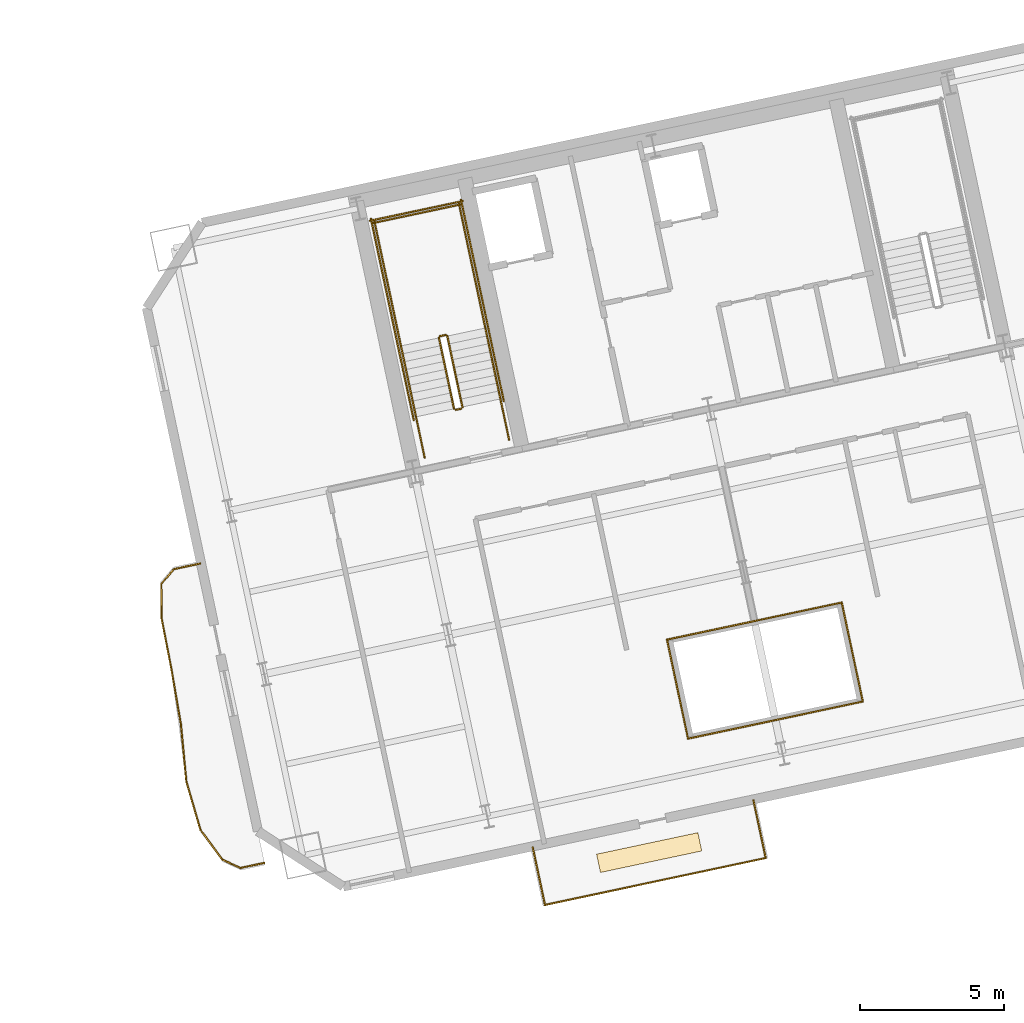
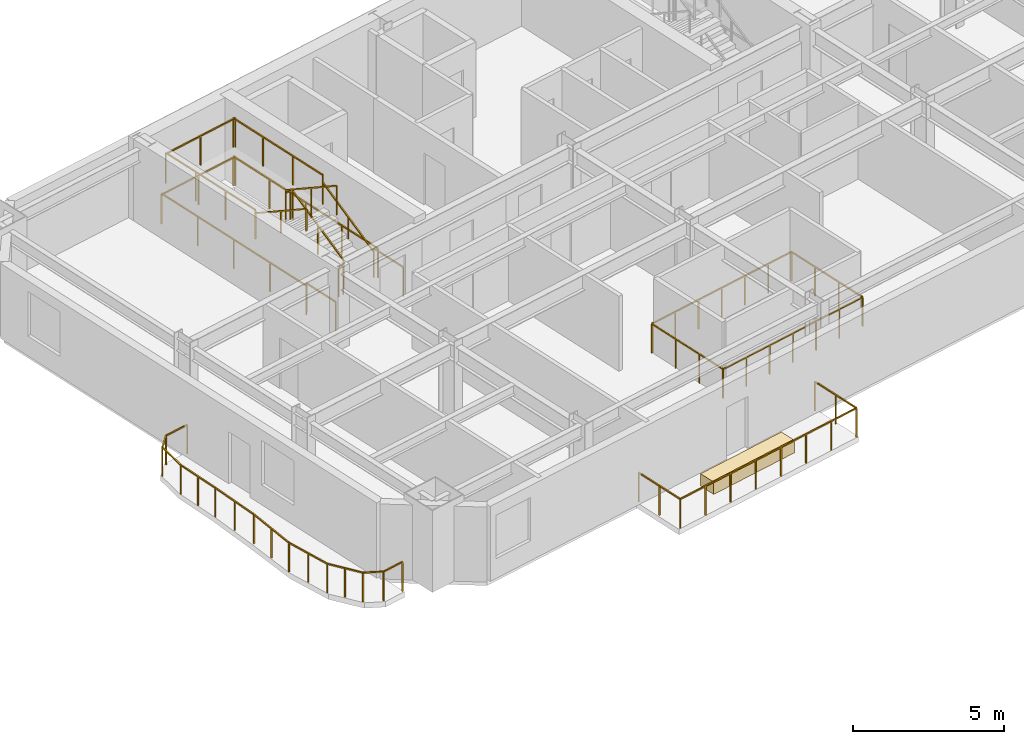
# One storey, part 13 of 14: 31 railings, 1 covering.
"""IFC4 building model written with IfcOpenShell, lengths in metres."""

import ifcopenshell
import ifcopenshell.guid

model = None  # the IFC model being written
_history = None  # IfcOwnerHistory: only IFC2X3 demands one
_inside = {}  # id of a spatial element -> (the spatial element, [elements in it])
_under = {}  # id of a project, library or spatial element -> (it, [spatial elements below it])
_declared = {}  # id of a project -> (the project, [libraries it declares])
_typed = {}  # id of a type object -> (the type object, [elements of that type])
_made_of = {}  # id of a material, layer set ... -> (it, [elements and type objects made of it])


def new_model(schema):
    """Start an empty IFC model of exactly this schema.

    Asked for "IFC4X3", IfcOpenShell would pick the latest addendum, in which some entities
    have other attributes; the version numbers below select the first issue.
    IFC2X3 requires an IfcOwnerHistory on every rooted entity: one is made here for all.
    """
    global model, _history
    if schema == "IFC4X3":
        model = ifcopenshell.file(schema_version=(4, 3, 0, 0))
    else:
        model = ifcopenshell.file(schema=schema)
    _inside.clear()
    _under.clear()
    _declared.clear()
    _typed.clear()
    _made_of.clear()
    _history = None
    if model.schema == "IFC2X3":
        org = make("IfcOrganization", Name="unknown")
        user = make(
            "IfcPersonAndOrganization",
            ThePerson=make("IfcPerson", FamilyName="unknown"),
            TheOrganization=org,
        )
        app = make(
            "IfcApplication",
            ApplicationDeveloper=org,
            Version="unknown",
            ApplicationFullName="unknown",
            ApplicationIdentifier="unknown",
        )
        _history = make(
            "IfcOwnerHistory",
            OwningUser=user,
            OwningApplication=app,
            ChangeAction="ADDED",
            CreationDate=0,
        )
    return model


def make(cls, **values):
    """One entity of the class cls with the attributes given. An attribute that is None is left unset."""
    return model.create_entity(
        cls, **{name: value for name, value in values.items() if value is not None}
    )


def rooted(cls, **values):
    """An entity with a GlobalId (a new one), such as an element, a storey or a relation."""
    return make(cls, GlobalId=ifcopenshell.guid.new(), OwnerHistory=_history, **values)


def si_unit(unit_type, name, prefix=None):
    """IfcSIUnit, for example si_unit("LENGTHUNIT", "METRE", prefix="MILLI")."""
    return make("IfcSIUnit", UnitType=unit_type, Prefix=prefix, Name=name)


def assignment(units):
    """IfcUnitAssignment: the units of a project."""
    return None if units is None else make("IfcUnitAssignment", Units=units)


def point(xyz):
    """IfcCartesianPoint."""
    return None if xyz is None else make("IfcCartesianPoint", Coordinates=xyz)


def direction(xyz):
    """IfcDirection."""
    return None if xyz is None else make("IfcDirection", DirectionRatios=xyz)


def frame(location, z_axis=None, x_axis=None):
    """IfcAxis2Placement3D, a coordinate frame: its origin and axes. An axis left out is left unset."""
    return make(
        "IfcAxis2Placement3D",
        Location=point(location),
        Axis=direction(z_axis),
        RefDirection=direction(x_axis),
    )


def frame_2d(location, x_axis=None):
    """IfcAxis2Placement2D, a coordinate frame in the plane: its origin and x axis."""
    return make(
        "IfcAxis2Placement2D", Location=point(location), RefDirection=direction(x_axis)
    )


def origin():
    """The frame at (0, 0, 0) with its axes left unset."""
    return frame((0.0, 0.0, 0.0))


def origin_2d():
    """The frame at (0, 0) in the plane with its x axis left unset."""
    return frame_2d((0.0, 0.0))


def place(relative_to, where):
    """IfcLocalPlacement: puts the frame where relative to a parent placement (None: the world)."""
    return make(
        "IfcLocalPlacement", PlacementRelTo=relative_to, RelativePlacement=where
    )


def context(
    kind, dimensions, precision=None, world=None, true_north=None, identifier=None
):
    """IfcGeometricRepresentationContext, for example the 3D "Model" context."""
    return make(
        "IfcGeometricRepresentationContext",
        ContextIdentifier=identifier,
        ContextType=kind,
        CoordinateSpaceDimension=dimensions,
        Precision=precision,
        WorldCoordinateSystem=world,
        TrueNorth=true_north,
    )


def subcontext(parent, identifier, kind, view, scale=None):
    """IfcGeometricRepresentationSubContext, for example "Body" below "Model"."""
    return make(
        "IfcGeometricRepresentationSubContext",
        ContextIdentifier=identifier,
        ContextType=kind,
        ParentContext=parent,
        TargetScale=scale,
        TargetView=view,
    )


def project(units=None, contexts=None):
    """IfcProject with its units and contexts."""
    return rooted(
        "IfcProject",
        Name="project",
        RepresentationContexts=contexts,
        UnitsInContext=assignment(units),
    )


def spatial(cls, under=None, at=None, **own):
    """A site, building, storey or space (cls), placed at a placement, below another one or the project."""
    s = rooted(cls, ObjectPlacement=at, **own)
    if under is not None:
        _under.setdefault(under.id(), (under, []))[1].append(s)
    return s


def profile(cls, at=None, kind="AREA", **sizes):
    """A parametric profile (cls). Its sizes go by their IFC names, for example OverallWidth=200.0."""
    return make(cls, ProfileType=kind, Position=at, **sizes)


def rectangle(**sizes):
    """IfcRectangleProfileDef."""
    return profile("IfcRectangleProfileDef", **sizes)


def extrude(swept, where, along, depth):
    """IfcExtrudedAreaSolid: the profile swept, set in the frame where, extruded along a direction by depth."""
    return make(
        "IfcExtrudedAreaSolid",
        SweptArea=swept,
        Position=where,
        ExtrudedDirection=direction(along),
        Depth=depth,
    )


def shape(context_of_items, identifier, shape_type, items):
    """IfcShapeRepresentation: the items that make up one representation, for example the "Body"."""
    return make(
        "IfcShapeRepresentation",
        ContextOfItems=context_of_items,
        RepresentationIdentifier=identifier,
        RepresentationType=shape_type,
        Items=items,
    )


def material(Name=None, Category=None):
    """IfcMaterial."""
    return make("IfcMaterial", Name=Name, Category=Category)


def layer(
    of_material, thickness, ventilated=None, Name=None, Category=None, Priority=None
):
    """IfcMaterialLayer: one layer of a wall or slab, of a material (None: an air gap)."""
    return make(
        "IfcMaterialLayer",
        Material=of_material,
        LayerThickness=thickness,
        IsVentilated=ventilated,
        Name=Name,
        Category=Category,
        Priority=Priority,
    )


def layer_set(layers, Name=None):
    """IfcMaterialLayerSet."""
    return make("IfcMaterialLayerSet", MaterialLayers=layers, LayerSetName=Name)


def made_of(thing, what):
    """Note that an element or type object is made of a material, layer set ...; save() writes the relation."""
    if what is not None:
        _made_of.setdefault(what.id(), (what, []))[1].append(thing)
    return thing


def type_object(cls, material=None, **own):
    """A type object (cls), such as IfcWallType, which elements share."""
    return made_of(rooted(cls, **own), material)


def element(
    cls,
    number,
    at=None,
    inside=None,
    cuts=None,
    type_object=None,
    material=None,
    context=None,
    identifier="Body",
    shape_type=None,
    held_by="IfcProductDefinitionShape",
    body=None,
    shapes=None,
    **own,
):
    """One element of the class cls, such as IfcWall. Its Tag is "e" and its number.

    at: its placement. inside: the storey or other place that contains it. cuts: it is an
    opening in that element (IfcRelVoidsElement). A single representation is given by context,
    identifier, shape_type and body (its items); several are given by shapes. held_by: the class
    of the entity that holds the representations. save() writes the other relations.
    """
    e = rooted(cls, Tag="e%d" % number, ObjectPlacement=at, **own)
    if body is not None:
        shapes = [shape(context, identifier, shape_type, body)]
    if shapes is not None:
        e.Representation = make(held_by, Representations=shapes)
    if inside is not None:
        _inside.setdefault(inside.id(), (inside, []))[1].append(e)
    if cuts is not None:
        rooted(
            "IfcRelVoidsElement", RelatingBuildingElement=cuts, RelatedOpeningElement=e
        )
    if type_object is not None:
        _typed.setdefault(type_object.id(), (type_object, []))[1].append(e)
    return made_of(e, material)


def aggregate(whole, parts):
    """IfcRelAggregates: a whole, such as a stair, and the parts it consists of."""
    return rooted("IfcRelAggregates", RelatingObject=whole, RelatedObjects=parts)


def save(model, path):
    """Write the relations noted so far, then the file.

    IfcRelAggregates (storeys below a building ...), IfcRelContainedInSpatialStructure (elements
    in a storey), IfcRelDefinesByType, IfcRelAssociatesMaterial and IfcRelDeclares: one each for
    every whole, place, type object, material and project.
    """
    for whole, parts in _under.values():
        aggregate(whole, parts)
    for where, things in _inside.values():
        rooted(
            "IfcRelContainedInSpatialStructure",
            RelatedElements=things,
            RelatingStructure=where,
        )
    for kind, things in _typed.values():
        rooted("IfcRelDefinesByType", RelatedObjects=things, RelatingType=kind)
    for what, things in _made_of.values():
        rooted("IfcRelAssociatesMaterial", RelatedObjects=things, RelatingMaterial=what)
    for by, libraries in _declared.values():
        rooted("IfcRelDeclares", RelatingContext=by, RelatedDefinitions=libraries)
    model.write(path)


model = new_model("IFC4")

# Units and contexts
model_context = context("Model", 3, precision=1e-05, world=origin(), true_north=direction((0.0, 1.0)))
body_context = subcontext(model_context, "Body", "Model", "MODEL_VIEW")
ifc_project = project(units=[si_unit("LENGTHUNIT", "METRE"), si_unit("AREAUNIT", "SQUARE_METRE"), si_unit("VOLUMEUNIT", "CUBIC_METRE"), si_unit("PLANEANGLEUNIT", "RADIAN"), si_unit("MASSUNIT", "GRAM", prefix="KILO")], contexts=[model_context])

# Site, building, storey
site_placement = place(None, origin())
site = spatial("IfcSite", under=ifc_project, at=site_placement, CompositionType="ELEMENT")
building_placement = place(site_placement, origin())
building = spatial("IfcBuilding", under=site, at=building_placement, Name="Haevon Station Towers", CompositionType="ELEMENT")
storey_placement = place(building_placement, frame((0.0, 0.0, 116.39990234375)))
storey = spatial("IfcBuildingStorey", under=building, at=storey_placement, Name="L31", CompositionType="ELEMENT", Elevation=116.39990234375)

# Railings
ifc_material_1 = material(Name="Steel S355", Category="steel")
railing_type_1 = type_object("IfcRailingType", Name="BAL-ATR1200", PredefinedType="BALUSTRADE", material=ifc_material_1)
railing_1_placement = place(storey_placement, frame((108.28564453125, 28.16259765625, 0.0)))
element("IfcRailing", 1, at=railing_1_placement, inside=storey, type_object=railing_type_1, Name="L31 Atrium Void Balustrade 1", PredefinedType="BALUSTRADE", context=body_context, shape_type="SweptSolid", body=[
    extrude(rectangle(XDim=0.048095703125, YDim=0.048095703125, at=origin_2d()), frame((0.0, 0.0, 1.17578125), z_axis=(0.978152054879, 0.207890734609, 0.0), x_axis=(-0.207890734609, 0.978152054879, 0.0)), (0.0, 0.0, 1.0), 6.208984375),
    extrude(rectangle(XDim=0.0419921875, YDim=0.0419921875, at=origin_2d()), origin(), (0.0, 0.0, 1.0), 1.15185546875),
    extrude(rectangle(XDim=0.0419921875, YDim=0.0419921875, at=origin_2d()), frame((1.01220703125, 0.215087890625, 0.0)), (0.0, 0.0, 1.0), 1.15185546875),
    extrude(rectangle(XDim=0.0419921875, YDim=0.0419921875, at=origin_2d()), frame((2.0244140625, 0.43017578125, 0.0)), (0.0, 0.0, 1.0), 1.15185546875),
    extrude(rectangle(XDim=0.0419921875, YDim=0.0419921875, at=origin_2d()), frame((3.03662109375, 0.6455078125, 0.0)), (0.0, 0.0, 1.0), 1.15185546875),
    extrude(rectangle(XDim=0.0419921875, YDim=0.0419921875, at=origin_2d()), frame((4.048828125, 0.860595703125, 0.0)), (0.0, 0.0, 1.0), 1.15185546875),
    extrude(rectangle(XDim=0.0419921875, YDim=0.0419921875, at=origin_2d()), frame((5.06103515625, 1.07568359375, 0.0)), (0.0, 0.0, 1.0), 1.15185546875),
    extrude(rectangle(XDim=0.0419921875, YDim=0.0419921875, at=origin_2d()), frame((6.0732421875, 1.290771484375, 0.0)), (0.0, 0.0, 1.0), 1.15185546875),
])
railing_2_placement = place(storey_placement, frame((114.35888671875, 29.453369140625, 0.0)))
element("IfcRailing", 2, at=railing_2_placement, inside=storey, type_object=railing_type_1, Name="L31 Atrium Void Balustrade 2", PredefinedType="BALUSTRADE", context=body_context, shape_type="SweptSolid", body=[
    extrude(rectangle(XDim=0.048095703125, YDim=0.048095703125, at=origin_2d()), frame((0.0, 0.0, 1.17578125), z_axis=(-0.207964983384, 0.978136271532, 0.0), x_axis=(-0.978136271532, -0.207964983384, 0.0)), (0.0, 0.0, 1.0), 3.518310546875),
    extrude(rectangle(XDim=0.0419921875, YDim=0.0419921875, at=origin_2d()), origin(), (0.0, 0.0, 1.0), 1.15185546875),
    extrude(rectangle(XDim=0.0419921875, YDim=0.0419921875, at=origin_2d()), frame((-0.243896484375, 1.147216796875, 0.0)), (0.0, 0.0, 1.0), 1.15185546875),
    extrude(rectangle(XDim=0.0419921875, YDim=0.0419921875, at=origin_2d()), frame((-0.48779296875, 2.294189453125, 0.0)), (0.0, 0.0, 1.0), 1.15185546875),
    extrude(rectangle(XDim=0.0419921875, YDim=0.0419921875, at=origin_2d()), frame((-0.731689453125, 3.44140625, 0.0)), (0.0, 0.0, 1.0), 1.15185546875),
])
railing_3_placement = place(storey_placement, frame((113.627197265625, 32.894775390625, 0.0)))
element("IfcRailing", 3, at=railing_3_placement, inside=storey, type_object=railing_type_1, Name="L31 Atrium Void Balustrade 3", PredefinedType="BALUSTRADE", context=body_context, shape_type="SweptSolid", body=[
    extrude(rectangle(XDim=0.048095703125, YDim=0.048095703125, at=origin_2d()), frame((0.0, 0.0, 1.17578125), z_axis=(-0.978150355379, -0.20789873081, 0.0), x_axis=(0.20789873081, -0.978150355379, 0.0)), (0.0, 0.0, 1.0), 6.208740234375),
    extrude(rectangle(XDim=0.0419921875, YDim=0.0419921875, at=origin_2d()), origin(), (0.0, 0.0, 1.0), 1.15185546875),
    extrude(rectangle(XDim=0.0419921875, YDim=0.0419921875, at=origin_2d()), frame((-1.01220703125, -0.215087890625, 0.0)), (0.0, 0.0, 1.0), 1.15185546875),
    extrude(rectangle(XDim=0.0419921875, YDim=0.0419921875, at=origin_2d()), frame((-2.0244140625, -0.43017578125, 0.0)), (0.0, 0.0, 1.0), 1.15185546875),
    extrude(rectangle(XDim=0.0419921875, YDim=0.0419921875, at=origin_2d()), frame((-3.03662109375, -0.6455078125, 0.0)), (0.0, 0.0, 1.0), 1.15185546875),
    extrude(rectangle(XDim=0.0419921875, YDim=0.0419921875, at=origin_2d()), frame((-4.048583984375, -0.860595703125, 0.0)), (0.0, 0.0, 1.0), 1.15185546875),
    extrude(rectangle(XDim=0.0419921875, YDim=0.0419921875, at=origin_2d()), frame((-5.060791015625, -1.07568359375, 0.0)), (0.0, 0.0, 1.0), 1.15185546875),
    extrude(rectangle(XDim=0.0419921875, YDim=0.0419921875, at=origin_2d()), frame((-6.072998046875, -1.290771484375, 0.0)), (0.0, 0.0, 1.0), 1.15185546875),
])
railing_4_placement = place(storey_placement, frame((107.55419921875, 31.60400390625, 0.0)))
element("IfcRailing", 4, at=railing_4_placement, inside=storey, type_object=railing_type_1, Name="L31 Atrium Void Balustrade 4", PredefinedType="BALUSTRADE", context=body_context, shape_type="SweptSolid", body=[
    extrude(rectangle(XDim=0.048095703125, YDim=0.048095703125, at=origin_2d()), frame((0.0, 0.0, 1.17578125), z_axis=(0.207898592019, -0.978150384878, 0.0), x_axis=(0.978150384878, 0.207898592019, 0.0)), (0.0, 0.0, 1.0), 3.518310546875),
    extrude(rectangle(XDim=0.0419921875, YDim=0.0419921875, at=origin_2d()), origin(), (0.0, 0.0, 1.0), 1.15185546875),
    extrude(rectangle(XDim=0.0419921875, YDim=0.0419921875, at=origin_2d()), frame((0.243896484375, -1.147216796875, 0.0)), (0.0, 0.0, 1.0), 1.15185546875),
    extrude(rectangle(XDim=0.0419921875, YDim=0.0419921875, at=origin_2d()), frame((0.487548828125, -2.294189453125, 0.0)), (0.0, 0.0, 1.0), 1.15185546875),
    extrude(rectangle(XDim=0.0419921875, YDim=0.0419921875, at=origin_2d()), frame((0.7314453125, -3.44140625, 0.0)), (0.0, 0.0, 1.0), 1.15185546875),
])
railing_type_2 = type_object("IfcRailingType", Name="GRD-EXT1200", PredefinedType="GUARDRAIL", material=ifc_material_1)
railing_5_placement = place(storey_placement, frame((91.329833984375, 34.251708984375, 0.0)))
element("IfcRailing", 5, at=railing_5_placement, inside=storey, type_object=railing_type_2, Name="L31 Perimeter Guardrail 1", PredefinedType="GUARDRAIL", context=body_context, shape_type="SweptSolid", body=[
    extrude(rectangle(XDim=0.048095703125, YDim=0.048095703125, at=origin_2d()), frame((0.0, 0.0, 1.17578125), z_axis=(-0.977684892297, -0.210076774952, 0.0), x_axis=(0.210076774952, -0.977684892297, 0.0)), (0.0, 0.0, 1.0), 0.943603515625),
    extrude(rectangle(XDim=0.0419921875, YDim=0.0419921875, at=origin_2d()), origin(), (0.0, 0.0, 1.0), 1.15185546875),
    extrude(rectangle(XDim=0.0419921875, YDim=0.0419921875, at=origin_2d()), frame((-0.922607421875, -0.1982421875, 0.0)), (0.0, 0.0, 1.0), 1.15185546875),
])
railing_6_placement = place(storey_placement, frame((90.4072265625, 34.053466796875, 0.0)))
element("IfcRailing", 6, at=railing_6_placement, inside=storey, type_object=railing_type_2, Name="L31 Perimeter Guardrail 2", PredefinedType="GUARDRAIL", context=body_context, shape_type="SweptSolid", body=[
    extrude(rectangle(XDim=0.048095703125, YDim=0.048095703125, at=origin_2d()), frame((0.0, 0.0, 1.17578125), z_axis=(-0.647469407295, -0.762091442424, 0.0), x_axis=(0.762091442424, -0.647469407295, 0.0)), (0.0, 0.0, 1.0), 0.673095703125),
    extrude(rectangle(XDim=0.0419921875, YDim=0.0419921875, at=origin_2d()), origin(), (0.0, 0.0, 1.0), 1.15185546875),
    extrude(rectangle(XDim=0.0419921875, YDim=0.0419921875, at=origin_2d()), frame((-0.435791015625, -0.512939453125, 0.0)), (0.0, 0.0, 1.0), 1.15185546875),
])
railing_7_placement = place(storey_placement, frame((89.971435546875, 33.54052734375, 0.0)))
element("IfcRailing", 7, at=railing_7_placement, inside=storey, type_object=railing_type_2, Name="L31 Perimeter Guardrail 3", PredefinedType="GUARDRAIL", context=body_context, shape_type="SweptSolid", body=[
    extrude(rectangle(XDim=0.048095703125, YDim=0.048095703125, at=origin_2d()), frame((0.0, 0.0, 1.17578125), z_axis=(0.008382449301, -0.999964866655, 0.0), x_axis=(0.999964866655, 0.008382449301, 0.0)), (0.0, 0.0, 1.0), 1.194091796875),
    extrude(rectangle(XDim=0.0419921875, YDim=0.0419921875, at=origin_2d()), origin(), (0.0, 0.0, 1.0), 1.15185546875),
    extrude(rectangle(XDim=0.0419921875, YDim=0.0419921875, at=origin_2d()), frame((0.010009765625, -1.194091796875, 0.0)), (0.0, 0.0, 1.0), 1.15185546875),
])
railing_8_placement = place(storey_placement, frame((89.9814453125, 32.346435546875, 0.0)))
element("IfcRailing", 8, at=railing_8_placement, inside=storey, type_object=railing_type_2, Name="L31 Perimeter Guardrail 4", PredefinedType="GUARDRAIL", context=body_context, shape_type="SweptSolid", body=[
    extrude(rectangle(XDim=0.048095703125, YDim=0.048095703125, at=origin_2d()), frame((0.0, 0.0, 1.17578125), z_axis=(0.190641955545, -0.981659637953, 0.0), x_axis=(0.981659637953, 0.190641955545, 0.0)), (0.0, 0.0, 1.0), 1.750732421875),
    extrude(rectangle(XDim=0.0419921875, YDim=0.0419921875, at=origin_2d()), origin(), (0.0, 0.0, 1.0), 1.15185546875),
    extrude(rectangle(XDim=0.0419921875, YDim=0.0419921875, at=origin_2d()), frame((0.1669921875, -0.859375, 0.0)), (0.0, 0.0, 1.0), 1.15185546875),
    extrude(rectangle(XDim=0.0419921875, YDim=0.0419921875, at=origin_2d()), frame((0.333740234375, -1.718505859375, 0.0)), (0.0, 0.0, 1.0), 1.15185546875),
])
railing_9_placement = place(storey_placement, frame((90.315185546875, 30.6279296875, 0.0)))
element("IfcRailing", 9, at=railing_9_placement, inside=storey, type_object=railing_type_2, Name="L31 Perimeter Guardrail 5", PredefinedType="GUARDRAIL", context=body_context, shape_type="SweptSolid", body=[
    extrude(rectangle(XDim=0.048095703125, YDim=0.048095703125, at=origin_2d()), frame((0.0, 0.0, 1.17578125), z_axis=(0.170403994018, -0.985374283622, 0.0), x_axis=(0.985374283622, 0.170403994018, 0.0)), (0.0, 0.0, 1.0), 1.989990234375),
    extrude(rectangle(XDim=0.0419921875, YDim=0.0419921875, at=origin_2d()), origin(), (0.0, 0.0, 1.0), 1.15185546875),
    extrude(rectangle(XDim=0.0419921875, YDim=0.0419921875, at=origin_2d()), frame((0.16943359375, -0.98046875, 0.0)), (0.0, 0.0, 1.0), 1.15185546875),
    extrude(rectangle(XDim=0.0419921875, YDim=0.0419921875, at=origin_2d()), frame((0.339111328125, -1.9609375, 0.0)), (0.0, 0.0, 1.0), 1.15185546875),
])
railing_10_placement = place(storey_placement, frame((90.654296875, 28.6669921875, 0.0)))
element("IfcRailing", 10, at=railing_10_placement, inside=storey, type_object=railing_type_2, Name="L31 Perimeter Guardrail 6", PredefinedType="GUARDRAIL", context=body_context, shape_type="SweptSolid", body=[
    extrude(rectangle(XDim=0.048095703125, YDim=0.048095703125, at=origin_2d()), frame((0.0, 0.0, 1.17578125), z_axis=(0.094113855165, -0.995561440729, 0.0), x_axis=(0.995561440729, 0.094113855165, 0.0)), (0.0, 0.0, 1.0), 2.005126953125),
    extrude(rectangle(XDim=0.0419921875, YDim=0.0419921875, at=origin_2d()), origin(), (0.0, 0.0, 1.0), 1.15185546875),
    extrude(rectangle(XDim=0.0419921875, YDim=0.0419921875, at=origin_2d()), frame((0.09423828125, -0.998046875, 0.0)), (0.0, 0.0, 1.0), 1.15185546875),
    extrude(rectangle(XDim=0.0419921875, YDim=0.0419921875, at=origin_2d()), frame((0.188720703125, -1.996337890625, 0.0)), (0.0, 0.0, 1.0), 1.15185546875),
])
railing_11_placement = place(storey_placement, frame((90.843017578125, 26.670654296875, 0.0)))
element("IfcRailing", 11, at=railing_11_placement, inside=storey, type_object=railing_type_2, Name="L31 Perimeter Guardrail 7", PredefinedType="GUARDRAIL", context=body_context, shape_type="SweptSolid", body=[
    extrude(rectangle(XDim=0.048095703125, YDim=0.048095703125, at=origin_2d()), frame((0.0, 0.0, 1.17578125), z_axis=(0.280310277148, -0.959909448086, 0.0), x_axis=(0.959909448086, 0.280310277148, 0.0)), (0.0, 0.0, 1.0), 1.75244140625),
    extrude(rectangle(XDim=0.0419921875, YDim=0.0419921875, at=origin_2d()), origin(), (0.0, 0.0, 1.0), 1.15185546875),
    extrude(rectangle(XDim=0.0419921875, YDim=0.0419921875, at=origin_2d()), frame((0.24560546875, -0.841064453125, 0.0)), (0.0, 0.0, 1.0), 1.15185546875),
    extrude(rectangle(XDim=0.0419921875, YDim=0.0419921875, at=origin_2d()), frame((0.4912109375, -1.68212890625, 0.0)), (0.0, 0.0, 1.0), 1.15185546875),
])
railing_12_placement = place(storey_placement, frame((91.334228515625, 24.988525390625, 0.0)))
element("IfcRailing", 12, at=railing_12_placement, inside=storey, type_object=railing_type_2, Name="L31 Perimeter Guardrail 8", PredefinedType="GUARDRAIL", context=body_context, shape_type="SweptSolid", body=[
    extrude(rectangle(XDim=0.048095703125, YDim=0.048095703125, at=origin_2d()), frame((0.0, 0.0, 1.17578125), z_axis=(0.59417733114, -0.804334071863, 0.0), x_axis=(0.804334071863, 0.59417733114, 0.0)), (0.0, 0.0, 1.0), 1.284912109375),
    extrude(rectangle(XDim=0.0419921875, YDim=0.0419921875, at=origin_2d()), origin(), (0.0, 0.0, 1.0), 1.15185546875),
    extrude(rectangle(XDim=0.0419921875, YDim=0.0419921875, at=origin_2d()), frame((0.3818359375, -0.5166015625, 0.0)), (0.0, 0.0, 1.0), 1.15185546875),
    extrude(rectangle(XDim=0.0419921875, YDim=0.0419921875, at=origin_2d()), frame((0.763427734375, -1.033447265625, 0.0)), (0.0, 0.0, 1.0), 1.15185546875),
])
railing_13_placement = place(storey_placement, frame((92.09765625, 23.955078125, 0.0)))
element("IfcRailing", 13, at=railing_13_placement, inside=storey, type_object=railing_type_2, Name="L31 Perimeter Guardrail 9", PredefinedType="GUARDRAIL", context=body_context, shape_type="SweptSolid", body=[
    extrude(rectangle(XDim=0.048095703125, YDim=0.048095703125, at=origin_2d()), frame((0.0, 0.0, 1.17578125), z_axis=(0.908498533497, -0.417888040788, 0.0), x_axis=(0.417888040788, 0.908498533497, 0.0)), (0.0, 0.0, 1.0), 0.688232421875),
    extrude(rectangle(XDim=0.0419921875, YDim=0.0419921875, at=origin_2d()), origin(), (0.0, 0.0, 1.0), 1.15185546875),
    extrude(rectangle(XDim=0.0419921875, YDim=0.0419921875, at=origin_2d()), frame((0.625244140625, -0.28759765625, 0.0)), (0.0, 0.0, 1.0), 1.15185546875),
])
railing_14_placement = place(storey_placement, frame((92.722900390625, 23.66748046875, 0.0)))
element("IfcRailing", 14, at=railing_14_placement, inside=storey, type_object=railing_type_2, Name="L31 Perimeter Guardrail 10", PredefinedType="GUARDRAIL", context=body_context, shape_type="SweptSolid", body=[
    extrude(rectangle(XDim=0.048095703125, YDim=0.048095703125, at=origin_2d()), frame((0.0, 0.0, 1.17578125), z_axis=(0.978617737227, 0.20568744343, 0.0), x_axis=(-0.20568744343, 0.978617737227, 0.0)), (0.0, 0.0, 1.0), 0.837890625),
    extrude(rectangle(XDim=0.0419921875, YDim=0.0419921875, at=origin_2d()), origin(), (0.0, 0.0, 1.0), 1.15185546875),
    extrude(rectangle(XDim=0.0419921875, YDim=0.0419921875, at=origin_2d()), frame((0.820068359375, 0.17236328125, 0.0)), (0.0, 0.0, 1.0), 1.15185546875),
])
railing_15_placement = place(storey_placement, frame((103.310791015625, 22.38134765625, 0.0)))
element("IfcRailing", 15, at=railing_15_placement, inside=storey, type_object=railing_type_2, Name="L31 Perimeter Guardrail 1", PredefinedType="GUARDRAIL", context=body_context, shape_type="SweptSolid", body=[
    extrude(rectangle(XDim=0.048095703125, YDim=0.048095703125, at=origin_2d()), frame((0.0, 0.0, 1.17578125), z_axis=(0.978148093399, 0.207909372996, 0.0), x_axis=(-0.207909372996, 0.978148093399, 0.0)), (0.0, 0.0, 1.0), 7.84521484375),
    extrude(rectangle(XDim=0.0419921875, YDim=0.0419921875, at=origin_2d()), origin(), (0.0, 0.0, 1.0), 1.15185546875),
    extrude(rectangle(XDim=0.0419921875, YDim=0.0419921875, at=origin_2d()), frame((1.09619140625, 0.23291015625, 0.0)), (0.0, 0.0, 1.0), 1.15185546875),
    extrude(rectangle(XDim=0.0419921875, YDim=0.0419921875, at=origin_2d()), frame((2.192626953125, 0.466064453125, 0.0)), (0.0, 0.0, 1.0), 1.15185546875),
    extrude(rectangle(XDim=0.0419921875, YDim=0.0419921875, at=origin_2d()), frame((3.288818359375, 0.698974609375, 0.0)), (0.0, 0.0, 1.0), 1.15185546875),
    extrude(rectangle(XDim=0.0419921875, YDim=0.0419921875, at=origin_2d()), frame((4.385009765625, 0.93212890625, 0.0)), (0.0, 0.0, 1.0), 1.15185546875),
    extrude(rectangle(XDim=0.0419921875, YDim=0.0419921875, at=origin_2d()), frame((5.481201171875, 1.1650390625, 0.0)), (0.0, 0.0, 1.0), 1.15185546875),
    extrude(rectangle(XDim=0.0419921875, YDim=0.0419921875, at=origin_2d()), frame((6.57763671875, 1.398193359375, 0.0)), (0.0, 0.0, 1.0), 1.15185546875),
    extrude(rectangle(XDim=0.0419921875, YDim=0.0419921875, at=origin_2d()), frame((7.673828125, 1.631103515625, 0.0)), (0.0, 0.0, 1.0), 1.15185546875),
])
railing_16_placement = place(storey_placement, frame((110.984619140625, 24.012451171875, 0.0)))
element("IfcRailing", 16, at=railing_16_placement, inside=storey, type_object=railing_type_2, Name="L31 Perimeter Guardrail 2", PredefinedType="GUARDRAIL", context=body_context, shape_type="SweptSolid", body=[
    extrude(rectangle(XDim=0.048095703125, YDim=0.048095703125, at=origin_2d()), frame((0.0, 0.0, 1.17578125), z_axis=(-0.207962507169, 0.978136798005, 0.0), x_axis=(-0.978136798005, -0.207962507169, 0.0)), (0.0, 0.0, 1.0), 2.054443359375),
    extrude(rectangle(XDim=0.0419921875, YDim=0.0419921875, at=origin_2d()), origin(), (0.0, 0.0, 1.0), 1.15185546875),
    extrude(rectangle(XDim=0.0419921875, YDim=0.0419921875, at=origin_2d()), frame((-0.213623046875, 1.0048828125, 0.0)), (0.0, 0.0, 1.0), 1.15185546875),
    extrude(rectangle(XDim=0.0419921875, YDim=0.0419921875, at=origin_2d()), frame((-0.42724609375, 2.009521484375, 0.0)), (0.0, 0.0, 1.0), 1.15185546875),
])
railing_17_placement = place(storey_placement, frame((102.883544921875, 24.390869140625, 0.0)))
element("IfcRailing", 17, at=railing_17_placement, inside=storey, type_object=railing_type_2, Name="L31 Perimeter Guardrail 3", PredefinedType="GUARDRAIL", context=body_context, shape_type="SweptSolid", body=[
    extrude(rectangle(XDim=0.048095703125, YDim=0.048095703125, at=origin_2d()), frame((0.0, 0.0, 1.17578125), z_axis=(0.207962507169, -0.978136798005, 0.0), x_axis=(0.978136798005, 0.207962507169, 0.0)), (0.0, 0.0, 1.0), 2.054443359375),
    extrude(rectangle(XDim=0.0419921875, YDim=0.0419921875, at=origin_2d()), origin(), (0.0, 0.0, 1.0), 1.15185546875),
    extrude(rectangle(XDim=0.0419921875, YDim=0.0419921875, at=origin_2d()), frame((0.213623046875, -1.0048828125, 0.0)), (0.0, 0.0, 1.0), 1.15185546875),
    extrude(rectangle(XDim=0.0419921875, YDim=0.0419921875, at=origin_2d()), frame((0.42724609375, -2.009521484375, 0.0)), (0.0, 0.0, 1.0), 1.15185546875),
])
railing_type_3 = type_object("IfcRailingType", Name="GRD-STR1200", PredefinedType="GUARDRAIL", material=ifc_material_1)
railing_18_placement = place(storey_placement, frame((100.44140625, 39.69287109375, 0.1650390625)))
element("IfcRailing", 18, at=railing_18_placement, inside=storey, type_object=railing_type_3, Name="L31 ST3 Stair Guard 1", PredefinedType="GUARDRAIL", context=body_context, shape_type="SweptSolid", body=[
    extrude(rectangle(XDim=0.048095703125, YDim=0.048095703125, at=origin_2d()), frame((0.0, 0.0, 1.17578125), z_axis=(-0.179121265225, 0.842687928106, 0.507732831485), x_axis=(-0.978147030254, -0.207914374695, 0.0)), (0.0, 0.0, 1.0), 2.925048828125),
    extrude(rectangle(XDim=0.0419921875, YDim=0.0419921875, at=origin_2d()), origin(), (0.0, 0.0, 1.0), 1.15185546875),
    extrude(rectangle(XDim=0.0419921875, YDim=0.0419921875, at=origin_2d()), frame((-0.261962890625, 1.232421875, 0.74267578125)), (0.0, 0.0, 1.0), 1.15185546875),
    extrude(rectangle(XDim=0.0419921875, YDim=0.0419921875, at=origin_2d()), frame((-0.52392578125, 2.46484375, 1.485107421875)), (0.0, 0.0, 1.0), 1.15185546875),
])
railing_19_placement = place(storey_placement, frame((99.858154296875, 42.1962890625, 1.650146484375)))
element("IfcRailing", 19, at=railing_19_placement, inside=storey, type_object=railing_type_3, Name="L31 ST3 Stair Guard 2", PredefinedType="GUARDRAIL", context=body_context, shape_type="SweptSolid", body=[
    extrude(rectangle(XDim=0.048095703125, YDim=0.048095703125, at=origin_2d()), frame((0.0, 0.0, 1.17578125), z_axis=(-0.977962931203, -0.208778603291, 0.0), x_axis=(0.208778603291, -0.977962931203, 0.0)), (0.0, 0.0, 1.0), 0.199951171875),
    extrude(rectangle(XDim=0.0419921875, YDim=0.0419921875, at=origin_2d()), origin(), (0.0, 0.0, 1.0), 1.15185546875),
    extrude(rectangle(XDim=0.0419921875, YDim=0.0419921875, at=origin_2d()), frame((-0.195556640625, -0.041748046875, 0.0)), (0.0, 0.0, 1.0), 1.15185546875),
])
railing_20_placement = place(storey_placement, frame((101.238037109375, 42.4384765625, 1.650146484375)))
element("IfcRailing", 20, at=railing_20_placement, inside=storey, type_object=railing_type_3, Name="L31 ST3 Stair Guard 3", PredefinedType="GUARDRAIL", context=body_context, shape_type="SweptSolid", body=[
    extrude(rectangle(XDim=0.048095703125, YDim=0.048095703125, at=origin_2d()), frame((0.0, 0.0, 1.17578125), z_axis=(-0.20794048909, 0.978141479029, 0.0), x_axis=(-0.978141479029, -0.20794048909, 0.0)), (0.0, 0.0, 1.0), 4.429931640625),
    extrude(rectangle(XDim=0.0419921875, YDim=0.0419921875, at=origin_2d()), origin(), (0.0, 0.0, 1.0), 1.15185546875),
    extrude(rectangle(XDim=0.0419921875, YDim=0.0419921875, at=origin_2d()), frame((-0.30712890625, 1.4443359375, 0.0)), (0.0, 0.0, 1.0), 1.15185546875),
    extrude(rectangle(XDim=0.0419921875, YDim=0.0419921875, at=origin_2d()), frame((-0.614013671875, 2.888671875, 0.0)), (0.0, 0.0, 1.0), 1.15185546875),
    extrude(rectangle(XDim=0.0419921875, YDim=0.0419921875, at=origin_2d()), frame((-0.921142578125, 4.3330078125, 0.0)), (0.0, 0.0, 1.0), 1.15185546875),
])
railing_21_placement = place(storey_placement, frame((98.303466796875, 41.814697265625, 1.650146484375)))
element("IfcRailing", 21, at=railing_21_placement, inside=storey, type_object=railing_type_3, Name="L31 ST3 Stair Guard 4", PredefinedType="GUARDRAIL", context=body_context, shape_type="SweptSolid", body=[
    extrude(rectangle(XDim=0.048095703125, YDim=0.048095703125, at=origin_2d()), frame((0.0, 0.0, 1.17578125), z_axis=(-0.207876551949, 0.978155069071, 0.0), x_axis=(-0.978155069071, -0.207876551949, 0.0)), (0.0, 0.0, 1.0), 4.429931640625),
    extrude(rectangle(XDim=0.0419921875, YDim=0.0419921875, at=origin_2d()), origin(), (0.0, 0.0, 1.0), 1.15185546875),
    extrude(rectangle(XDim=0.0419921875, YDim=0.0419921875, at=origin_2d()), frame((-0.306884765625, 1.4443359375, 0.0)), (0.0, 0.0, 1.0), 1.15185546875),
    extrude(rectangle(XDim=0.0419921875, YDim=0.0419921875, at=origin_2d()), frame((-0.614013671875, 2.888916015625, 0.0)), (0.0, 0.0, 1.0), 1.15185546875),
    extrude(rectangle(XDim=0.0419921875, YDim=0.0419921875, at=origin_2d()), frame((-0.9208984375, 4.333251953125, 0.0)), (0.0, 0.0, 1.0), 1.15185546875),
])
railing_22_placement = place(storey_placement, frame((100.376220703125, 46.733154296875, 1.650146484375)))
element("IfcRailing", 22, at=railing_22_placement, inside=storey, type_object=railing_type_3, Name="L31 ST3 Stair Guard 5", PredefinedType="GUARDRAIL", context=body_context, shape_type="SweptSolid", body=[
    extrude(rectangle(XDim=0.048095703125, YDim=0.048095703125, at=origin_2d()), frame((0.0, 0.0, 1.17578125), z_axis=(-0.978146839882, -0.207915270313, 0.0), x_axis=(0.207915270313, -0.978146839882, 0.0)), (0.0, 0.0, 1.0), 3.099853515625),
    extrude(rectangle(XDim=0.0419921875, YDim=0.0419921875, at=origin_2d()), origin(), (0.0, 0.0, 1.0), 1.15185546875),
    extrude(rectangle(XDim=0.0419921875, YDim=0.0419921875, at=origin_2d()), frame((-1.51611328125, -0.322265625, 0.0)), (0.0, 0.0, 1.0), 1.15185546875),
    extrude(rectangle(XDim=0.0419921875, YDim=0.0419921875, at=origin_2d()), frame((-3.0322265625, -0.64453125, 0.0)), (0.0, 0.0, 1.0), 1.15185546875),
])
railing_23_placement = place(storey_placement, frame((99.6240234375, 42.09521484375, 1.815185546875)))
element("IfcRailing", 23, at=railing_23_placement, inside=storey, type_object=railing_type_3, Name="L31 ST3 Stair Guard 6", PredefinedType="GUARDRAIL", context=body_context, shape_type="SweptSolid", body=[
    extrude(rectangle(XDim=0.048095703125, YDim=0.048095703125, at=origin_2d()), frame((0.0, 0.0, 1.17578125), z_axis=(0.179128856099, -0.842723639875, 0.507670877349), x_axis=(0.978147030254, 0.207914374695, 0.0)), (0.0, 0.0, 1.0), 2.9248046875),
    extrude(rectangle(XDim=0.0419921875, YDim=0.0419921875, at=origin_2d()), origin(), (0.0, 0.0, 1.0), 1.15185546875),
    extrude(rectangle(XDim=0.0419921875, YDim=0.0419921875, at=origin_2d()), frame((0.261962890625, -1.232421875, 0.742431640625)), (0.0, 0.0, 1.0), 1.15185546875),
    extrude(rectangle(XDim=0.0419921875, YDim=0.0419921875, at=origin_2d()), frame((0.52392578125, -2.46484375, 1.48486328125)), (0.0, 0.0, 1.0), 1.15185546875),
])
railing_24_placement = place(storey_placement, frame((100.40283203125, 39.633544921875, 0.0)))
element("IfcRailing", 24, at=railing_24_placement, inside=storey, type_object=railing_type_3, Name="L31 ST3 Stair Guard 7", PredefinedType="GUARDRAIL", context=body_context, shape_type="SweptSolid", body=[
    extrude(rectangle(XDim=0.048095703125, YDim=0.048095703125, at=origin_2d()), frame((0.0, 0.0, 1.17578125), z_axis=(-0.977962931203, -0.208778603291, 0.0), x_axis=(0.208778603291, -0.977962931203, 0.0)), (0.0, 0.0, 1.0), 0.199951171875),
    extrude(rectangle(XDim=0.0419921875, YDim=0.0419921875, at=origin_2d()), origin(), (0.0, 0.0, 1.0), 1.15185546875),
    extrude(rectangle(XDim=0.0419921875, YDim=0.0419921875, at=origin_2d()), frame((-0.195556640625, -0.041748046875, 0.0)), (0.0, 0.0, 1.0), 1.15185546875),
])
for number, where, name in (
    (25, (102.0634765625, 38.55517578125, 0.0), "L31 ST3 Stair Guard 8"),
    (26, (99.12890625, 37.931396484375, 0.0), "L31 ST3 Stair Guard 9"),
):
    element("IfcRailing", number, at=place(storey_placement, frame(where)), inside=storey, type_object=railing_type_3, Name=name, PredefinedType="GUARDRAIL", context=body_context, shape_type="SweptSolid", body=[
        extrude(rectangle(XDim=0.048095703125, YDim=0.048095703125, at=origin_2d()), frame((0.0, 0.0, 1.17578125), z_axis=(-0.207953405961, 0.978138732977, 0.0), x_axis=(-0.978138732977, -0.207953405961, 0.0)), (0.0, 0.0, 1.0), 1.449951171875),
        extrude(rectangle(XDim=0.0419921875, YDim=0.0419921875, at=origin_2d()), origin(), (0.0, 0.0, 1.0), 1.15185546875),
        extrude(rectangle(XDim=0.0419921875, YDim=0.0419921875, at=origin_2d()), frame((-0.301513671875, 1.418212890625, 0.0)), (0.0, 0.0, 1.0), 1.15185546875),
    ])
railing_25_placement = place(storey_placement, frame((101.88037109375, 39.896484375, 0.0)))
element("IfcRailing", 27, at=railing_25_placement, inside=storey, type_object=railing_type_3, Name="L31 ST3 Stair Guard 10", PredefinedType="GUARDRAIL", context=body_context, shape_type="SweptSolid", body=[
    extrude(rectangle(XDim=0.048095703125, YDim=0.048095703125, at=origin_2d()), frame((0.0, 0.0, 1.17578125), z_axis=(-0.207882442208, 0.978153817261, 0.0), x_axis=(-0.978153817261, -0.207882442208, 0.0)), (0.0, 0.0, 1.0), 7.14990234375),
    extrude(rectangle(XDim=0.0419921875, YDim=0.0419921875, at=origin_2d()), origin(), (0.0, 0.0, 1.0), 1.15185546875),
    extrude(rectangle(XDim=0.0419921875, YDim=0.0419921875, at=origin_2d()), frame((-0.37158203125, 1.74853515625, 0.0)), (0.0, 0.0, 1.0), 1.15185546875),
    extrude(rectangle(XDim=0.0419921875, YDim=0.0419921875, at=origin_2d()), frame((-0.7431640625, 3.496826171875, 0.0)), (0.0, 0.0, 1.0), 1.15185546875),
    extrude(rectangle(XDim=0.0419921875, YDim=0.0419921875, at=origin_2d()), frame((-1.11474609375, 5.2451171875, 0.0)), (0.0, 0.0, 1.0), 1.15185546875),
    extrude(rectangle(XDim=0.0419921875, YDim=0.0419921875, at=origin_2d()), frame((-1.486328125, 6.99365234375, 0.0)), (0.0, 0.0, 1.0), 1.15185546875),
])
railing_26_placement = place(storey_placement, frame((98.75048828125, 39.231201171875, 0.0)))
element("IfcRailing", 28, at=railing_26_placement, inside=storey, type_object=railing_type_3, Name="L31 ST3 Stair Guard 11", PredefinedType="GUARDRAIL", context=body_context, shape_type="SweptSolid", body=[
    extrude(rectangle(XDim=0.048095703125, YDim=0.048095703125, at=origin_2d()), frame((0.0, 0.0, 1.17578125), z_axis=(-0.207915112487, 0.978146873429, 0.0), x_axis=(-0.978146873429, -0.207915112487, 0.0)), (0.0, 0.0, 1.0), 7.14990234375),
    extrude(rectangle(XDim=0.0419921875, YDim=0.0419921875, at=origin_2d()), origin(), (0.0, 0.0, 1.0), 1.15185546875),
    extrude(rectangle(XDim=0.0419921875, YDim=0.0419921875, at=origin_2d()), frame((-0.37158203125, 1.74853515625, 0.0)), (0.0, 0.0, 1.0), 1.15185546875),
    extrude(rectangle(XDim=0.0419921875, YDim=0.0419921875, at=origin_2d()), frame((-0.7431640625, 3.496826171875, 0.0)), (0.0, 0.0, 1.0), 1.15185546875),
    extrude(rectangle(XDim=0.0419921875, YDim=0.0419921875, at=origin_2d()), frame((-1.114990234375, 5.2451171875, 0.0)), (0.0, 0.0, 1.0), 1.15185546875),
    extrude(rectangle(XDim=0.0419921875, YDim=0.0419921875, at=origin_2d()), frame((-1.486572265625, 6.99365234375, 0.0)), (0.0, 0.0, 1.0), 1.15185546875),
])
railing_27_placement = place(storey_placement, frame((100.453125, 46.8515625, 0.0)))
element("IfcRailing", 29, at=railing_27_placement, inside=storey, type_object=railing_type_3, Name="L31 ST3 Stair Guard 12", PredefinedType="GUARDRAIL", context=body_context, shape_type="SweptSolid", body=[
    extrude(rectangle(XDim=0.048095703125, YDim=0.048095703125, at=origin_2d()), frame((0.0, 0.0, 1.17578125), z_axis=(-0.978150764849, -0.207896804268, 0.0), x_axis=(0.207896804268, -0.978150764849, 0.0)), (0.0, 0.0, 1.0), 3.2998046875),
    extrude(rectangle(XDim=0.0419921875, YDim=0.0419921875, at=origin_2d()), origin(), (0.0, 0.0, 1.0), 1.15185546875),
    extrude(rectangle(XDim=0.0419921875, YDim=0.0419921875, at=origin_2d()), frame((-1.61376953125, -0.343017578125, 0.0)), (0.0, 0.0, 1.0), 1.15185546875),
    extrude(rectangle(XDim=0.0419921875, YDim=0.0419921875, at=origin_2d()), frame((-3.227783203125, -0.68603515625, 0.0)), (0.0, 0.0, 1.0), 1.15185546875),
])
railing_type_4 = type_object("IfcRailingType", Name="HND-STR900", PredefinedType="HANDRAIL", material=ifc_material_1)
railing_28_placement = place(storey_placement, frame((101.761962890625, 39.973388671875, 0.1650390625)))
element("IfcRailing", 30, at=railing_28_placement, inside=storey, type_object=railing_type_4, Name="L31 ST3 Stair Handrail 1", PredefinedType="HANDRAIL", context=body_context, shape_type="SweptSolid", body=[
    extrude(rectangle(XDim=0.048095703125, YDim=0.048095703125, at=origin_2d()), frame((0.0, 0.0, 0.8759765625), z_axis=(-0.179108667068, 0.842712120868, 0.50769712105), x_axis=(-0.978151217824, -0.207894673017, 0.0)), (0.0, 0.0, 1.0), 2.92529296875),
    extrude(rectangle(XDim=0.0419921875, YDim=0.0419921875, at=origin_2d()), origin(), (0.0, 0.0, 1.0), 0.851806640625),
    extrude(rectangle(XDim=0.0419921875, YDim=0.0419921875, at=origin_2d()), frame((-0.261962890625, 1.232421875, 0.74267578125)), (0.0, 0.0, 1.0), 0.851806640625),
    extrude(rectangle(XDim=0.0419921875, YDim=0.0419921875, at=origin_2d()), frame((-0.52392578125, 2.465087890625, 1.485107421875)), (0.0, 0.0, 1.0), 0.851806640625),
])
railing_29_placement = place(storey_placement, frame((98.303466796875, 41.814697265625, 1.815185546875)))
element("IfcRailing", 31, at=railing_29_placement, inside=storey, type_object=railing_type_4, Name="L31 ST3 Stair Handrail 2", PredefinedType="HANDRAIL", context=body_context, shape_type="SweptSolid", body=[
    extrude(rectangle(XDim=0.048095703125, YDim=0.048095703125, at=origin_2d()), frame((0.0, 0.0, 0.8759765625), z_axis=(0.179116256339, -0.842747828638, 0.507635168246), x_axis=(0.978151217824, 0.207894673017, 0.0)), (0.0, 0.0, 1.0), 2.925048828125),
    extrude(rectangle(XDim=0.0419921875, YDim=0.0419921875, at=origin_2d()), origin(), (0.0, 0.0, 1.0), 0.851806640625),
    extrude(rectangle(XDim=0.0419921875, YDim=0.0419921875, at=origin_2d()), frame((0.261962890625, -1.232421875, 0.742431640625)), (0.0, 0.0, 1.0), 0.851806640625),
    extrude(rectangle(XDim=0.0419921875, YDim=0.0419921875, at=origin_2d()), frame((0.52392578125, -2.465087890625, 1.48486328125)), (0.0, 0.0, 1.0), 0.851806640625),
])

# Covering
ifc_material_2 = material(Name="Architectural planter GRC", Category="concrete")
ifc_layer = layer(ifc_material_2, 0.550048828125)
ifc_layer_set = layer_set([ifc_layer], Name="Architectural planter GRC")
covering_type = type_object("IfcCoveringType", Name="PLN-GRC550", PredefinedType="MOLDING", material=ifc_layer_set)
covering_placement = place(storey_placement, frame((106.93408203125, 24.20166015625, 0.0), z_axis=(0.0, 0.0, 1.0), x_axis=(0.978147600734, 0.207911690818, 0.0)))
element("IfcCovering", 32, at=covering_placement, inside=storey, type_object=covering_type, Name="Tower 2 L31 Facade Trough PLANTER", PredefinedType="MOLDING", context=body_context, shape_type="SweptSolid", body=[
    extrude(rectangle(XDim=3.60009765625, YDim=0.64990234375, at=origin_2d()), origin(), (0.0, 0.0, 1.0), 0.5),
])

save(model, "model.ifc")
